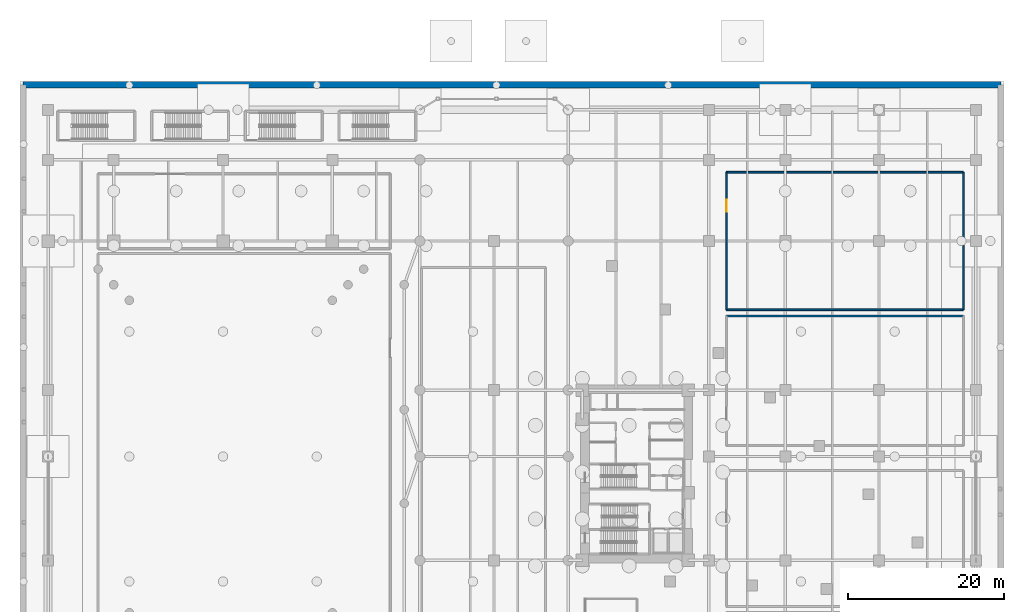
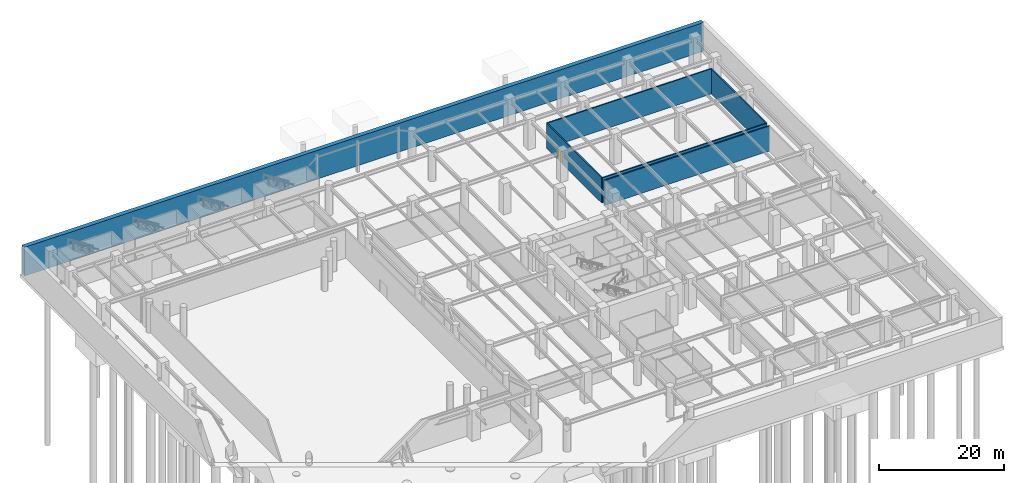
# One storey, part 24 of 37: 6 walls, 1 door, 1 opening.
"""IFC4 building model written with IfcOpenShell, lengths in metres."""

from ifc_helpers import new_model, si_unit, direction, frame, frame_2d, origin, place, context, subcontext, project, spatial, rectangle, extrude, material, layer, layer_set, type_object, element, fill, save


model = new_model("IFC4")

# Units and contexts
model_context = context("Model", 3, precision=1e-05, world=origin(), true_north=direction((0.0, 1.0)))
body_context = subcontext(model_context, "Body", "Model", "MODEL_VIEW")
ifc_project = project(units=[si_unit("LENGTHUNIT", "METRE"), si_unit("AREAUNIT", "SQUARE_METRE"), si_unit("VOLUMEUNIT", "CUBIC_METRE"), si_unit("PLANEANGLEUNIT", "RADIAN"), si_unit("MASSUNIT", "GRAM", prefix="KILO")], contexts=[model_context])

# Site, building, storey
site_placement = place(None, origin())
site = spatial("IfcSite", under=ifc_project, at=site_placement, CompositionType="ELEMENT")
building_placement = place(site_placement, origin())
building = spatial("IfcBuilding", under=site, at=building_placement, Name="Narakoshi Arena Tower", CompositionType="ELEMENT")
storey_placement = place(building_placement, frame((0.0, 0.0, -6.0)))
storey = spatial("IfcBuildingStorey", under=building, at=storey_placement, Name="B01", CompositionType="ELEMENT", Elevation=-6.0)

# Walls
ifc_material_1 = material(Name="Concrete C40/50", Category="concrete")
ifc_layer_1 = layer(ifc_material_1, 0.219970703125)
ifc_layer_set_1 = layer_set([ifc_layer_1], Name="Concrete C40/50")
wall_type_1 = type_object("IfcWallType", Name="WL-COMP-220", PredefinedType="SOLIDWALL", material=ifc_layer_set_1)
for number, where, z_axis, x_axis, name in (
    (1, (120.800048828125, 66.0, 0.0), (0.0, 0.0, 1.0), (-1.0, 0.0, 0.0), "B01 HV Transformer and Switchgear Room Wall N"),
    (2, (90.449951171875, 66.800048828125, 0.0), (0.0, 0.0, 1.0), (1.0, 0.0, 0.0), "B01 Podium Primary Air Handling Plant Room Wall S"),
):
    element("IfcWall", number, at=place(storey_placement, frame(where, z_axis=z_axis, x_axis=x_axis)), inside=storey, type_object=wall_type_1, Name=name, PredefinedType="SOLIDWALL", context=body_context, shape_type="SweptSolid", body=[
        extrude(rectangle(XDim=30.35009765625, YDim=0.219970703125, at=frame_2d((15.175048828125, 0.0))), origin(), (0.0, 0.0, 1.0), 4.885009765625),
    ])
wall_1_placement = place(storey_placement, frame((120.800048828125, 66.800048828125, 0.0), z_axis=(0.0, 0.0, 1.0), x_axis=(0.0, 1.0, 0.0)))
element("IfcWall", 3, at=wall_1_placement, inside=storey, type_object=wall_type_1, Name="B01 Podium Primary Air Handling Plant Room Wall E", PredefinedType="SOLIDWALL", context=body_context, shape_type="SweptSolid", body=[
    extrude(rectangle(XDim=17.599853515625, YDim=0.219970703125, at=frame_2d((8.7998046875, 0.0))), origin(), (0.0, 0.0, 1.0), 4.885009765625),
])
wall_2_placement = place(storey_placement, frame((120.800048828125, 84.39990234375, 0.0), z_axis=(0.0, 0.0, 1.0), x_axis=(-1.0, 0.0, 0.0)))
element("IfcWall", 4, at=wall_2_placement, inside=storey, type_object=wall_type_1, Name="B01 Podium Primary Air Handling Plant Room Wall N", PredefinedType="SOLIDWALL", context=body_context, shape_type="SweptSolid", body=[
    extrude(rectangle(XDim=30.35009765625, YDim=0.219970703125, at=frame_2d((15.175048828125, 0.0))), origin(), (0.0, 0.0, 1.0), 4.885009765625),
])

# Wall, opening, door
wall_3_placement = place(storey_placement, frame((90.449951171875, 84.39990234375, 0.0), z_axis=(0.0, 0.0, 1.0), x_axis=(0.0, -1.0, 0.0)))
wall_3 = element("IfcWall", 5, at=wall_3_placement, inside=storey, type_object=wall_type_1, Name="B01 Podium Primary Air Handling Plant Room Wall W", PredefinedType="SOLIDWALL", context=body_context, shape_type="SweptSolid", body=[
    extrude(rectangle(XDim=17.599853515625, YDim=0.219970703125, at=frame_2d((8.7998046875, 0.0))), origin(), (0.0, 0.0, 1.0), 4.885009765625),
])
opening_placement = place(wall_3_placement, frame((3.5419921875, 0.0, 0.0)))
opening = element("IfcOpeningElement", 6, at=opening_placement, cuts=wall_3, Name="Opening D-09", PredefinedType="OPENING", context=body_context, shape_type="SweptSolid", body=[
    extrude(rectangle(XDim=1.5, YDim=2.25, at=frame_2d((0.75, 1.125))), frame((0.0, 0.119873046875, 0.0), z_axis=(0.0, -1.0, 0.0), x_axis=(1.0, 0.0, 0.0)), (0.0, 0.0, 1.0), 0.239990234375),
])
ifc_material_2 = material(Name="Painted galvanized steel", Category="steel")
door_type = type_object("IfcDoorType", Name="DR-PLT-1500", OperationType="DOUBLE_DOOR_SINGLE_SWING", PredefinedType="DOOR", material=ifc_material_2)
door_placement = place(opening_placement, frame((1.5, 0.0, 0.0), z_axis=(0.0, 0.0, 1.0), x_axis=(-1.0, 0.0, 0.0)))
door = element("IfcDoor", 7, at=door_placement, inside=storey, type_object=door_type, Name="DR-B01-032", OperationType="DOUBLE_DOOR_SINGLE_SWING", OverallHeight=2.25, OverallWidth=1.5, PredefinedType="DOOR", context=body_context, shape_type="SweptSolid", body=[
    extrude(rectangle(XDim=1.5, YDim=2.25, at=frame_2d((0.75, 1.125))), frame((0.0, 0.02490234375, 0.0), z_axis=(0.0, -1.0, 0.0), x_axis=(1.0, 0.0, 0.0)), (0.0, 0.0, 1.0), 0.050048828125),
])
fill(opening, door)

# Wall
ifc_material_3 = material(Name="Concrete C45/55", Category="concrete")
ifc_layer_2 = layer(ifc_material_3, 0.800048828125)
ifc_layer_set_2 = layer_set([ifc_layer_2], Name="Concrete C45/55")
wall_type_2 = type_object("IfcWallType", Name="WL-RET-800", PredefinedType="USERDEFINED", material=ifc_layer_set_2)
wall_4_placement = place(storey_placement, frame((125.60009765625, 95.60009765625, 0.0), z_axis=(0.0, 0.0, 1.0), x_axis=(-1.0, 0.0, 0.0)))
element("IfcWall", 8, at=wall_4_placement, inside=storey, type_object=wall_type_2, Name="B01 Diaphragm Retaining Wall N", ObjectType="RETAININGWALL", PredefinedType="USERDEFINED", context=body_context, shape_type="SweptSolid", body=[
    extrude(rectangle(XDim=125.2001953125, YDim=0.800048828125, at=frame_2d((62.60009765625, 0.0))), origin(), (0.0, 0.0, 1.0), 5.60009765625),
])

save(model, "model.ifc")
